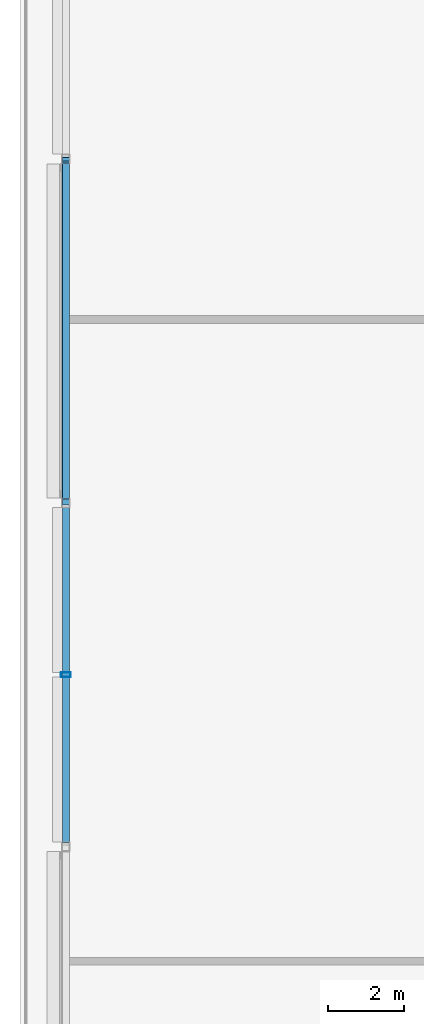
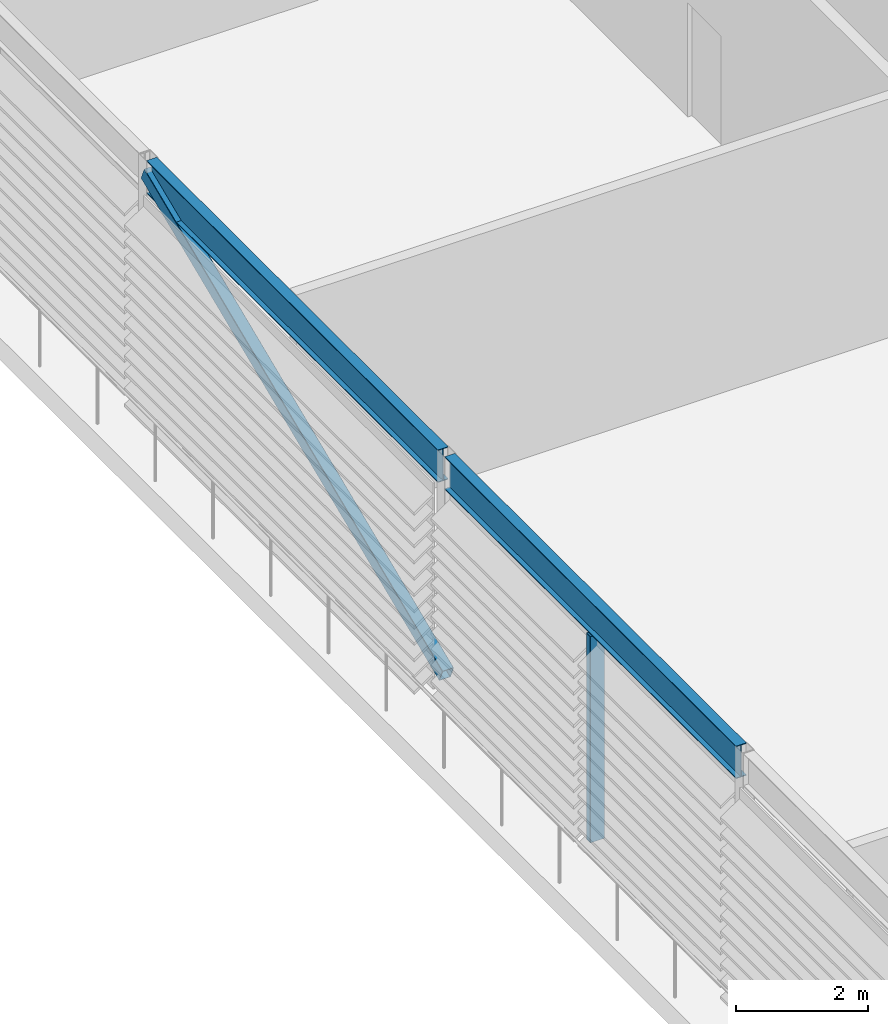
# One storey, part 7 of 29: 2 beams, 2 members.
"""IFC4 building model written with IfcOpenShell, lengths in metres."""

from ifc_helpers import new_model, si_unit, direction, frame, origin, origin_2d, place, context, subcontext, project, spatial, hollow_rectangle, i_section, extrude, material, material_profile, profile_set, type_object, element, save


model = new_model("IFC4")

# Units and contexts
model_context = context("Model", 3, precision=1e-05, world=origin(), true_north=direction((0.0, 1.0)))
body_context = subcontext(model_context, "Body", "Model", "MODEL_VIEW")
ifc_project = project(units=[si_unit("LENGTHUNIT", "METRE"), si_unit("AREAUNIT", "SQUARE_METRE"), si_unit("VOLUMEUNIT", "CUBIC_METRE"), si_unit("PLANEANGLEUNIT", "RADIAN"), si_unit("MASSUNIT", "GRAM", prefix="KILO")], contexts=[model_context])

# Site, building, storey
site_placement = place(None, origin())
site = spatial("IfcSite", under=ifc_project, at=site_placement, CompositionType="ELEMENT")
building_placement = place(site_placement, origin())
building = spatial("IfcBuilding", under=site, at=building_placement, Name="Madar Terraces", CompositionType="ELEMENT")
storey_placement = place(building_placement, frame((0.0, 0.0, 296.300048828125)))
storey = spatial("IfcBuildingStorey", under=building, at=storey_placement, Name="L77", CompositionType="ELEMENT", Elevation=296.300048828125)

# Beams
ifc_material_1 = material(Name="Steel ASTM A992 Grade 50", Category="steel")
ifc_material_profile_1 = material_profile(ifc_material_1, i_section(OverallWidth=0.1787109375, OverallDepth=0.60205078125, WebThickness=0.010986328125, FlangeThickness=0.014892578125, at=origin_2d()), Name="W24x62")
ifc_profile_set_1 = profile_set([ifc_material_profile_1], Name="Steel ASTM A992 Grade 50")
beam_type = type_object("IfcBeamType", Name="CF2 W24x62", PredefinedType="BEAM", material=ifc_profile_set_1)
for number, where, z_axis, x_axis, name in (
    (1, (1.199951171875, 32.8984375, 4.098876953125), (0.0, -1.0, 0.0), (1.0, 0.0, 0.0), "Crown frame ring beam CF2"),
    (2, (1.199951171875, 23.8984375, 4.098876953125), (0.0, -1.0, 0.0), (1.0, 0.0, 0.0), "Crown frame ring beam CF2"),
):
    element("IfcBeam", number, at=place(storey_placement, frame(where, z_axis=z_axis, x_axis=x_axis)), inside=storey, type_object=beam_type, Name=name, PredefinedType="BEAM", context=body_context, shape_type="SweptSolid", body=[
        extrude(i_section(OverallWidth=0.1787109375, OverallDepth=0.60205078125, WebThickness=0.010986328125, FlangeThickness=0.014892578125, at=origin_2d()), origin(), (0.0, 0.0, 1.0), 8.796875),
    ])

# Members
ifc_material_2 = material(Name="Steel ASTM A500 Grade C", Category="steel")
ifc_material_profile_2 = material_profile(ifc_material_2, hollow_rectangle(XDim=0.203125, YDim=0.25390625, WallThickness=0.009521484375, InnerFilletRadius=0.00439453125, OuterFilletRadius=0.01318359375, at=origin_2d()), Name="HSS10x8x.375")
ifc_profile_set_2 = profile_set([ifc_material_profile_2], Name="Steel ASTM A500 Grade C")
member_type_1 = type_object("IfcMemberType", Name="CF5 crown frame brace HSS10x8x.375", PredefinedType="BRACE", material=ifc_profile_set_2)
member_1_placement = place(storey_placement, frame((1.199951171875, 33.0, 4.098876953125), z_axis=(0.0, -0.921292542278, -0.388870224551), x_axis=(1.0, 0.0, 0.0)))
element("IfcMember", 3, at=member_1_placement, inside=storey, type_object=member_type_1, Name="Crown frame brace CF5", PredefinedType="BRACE", context=body_context, shape_type="SweptSolid", body=[
    extrude(hollow_rectangle(XDim=0.203125, YDim=0.25390625, WallThickness=0.009521484375, InnerFilletRadius=0.00439453125, OuterFilletRadius=0.01318359375, at=origin_2d()), origin(), (0.0, 0.0, 1.0), 9.768798828125),
])
ifc_material_3 = material(Name="Steel ASTM A500 Grade C", Category="steel")
ifc_material_profile_3 = material_profile(ifc_material_3, hollow_rectangle(XDim=0.126953125, YDim=0.25390625, WallThickness=0.00634765625, InnerFilletRadius=0.0029296875, OuterFilletRadius=0.0087890625, at=origin_2d()), Name="HSS10x5x.25")
ifc_profile_set_3 = profile_set([ifc_material_profile_3], Name="Steel ASTM A500 Grade C")
member_type_2 = type_object("IfcMemberType", Name="LS2 HSS10x5x.25", PredefinedType="POST", material=ifc_profile_set_3)
member_2_placement = place(storey_placement, frame((1.199951171875, 19.5, 0.0), z_axis=(0.0, 0.0, 1.0), x_axis=(0.0, -1.0, 0.0)))
element("IfcMember", 4, at=member_2_placement, inside=storey, type_object=member_type_2, Name="Crown louvre post LS2", PredefinedType="POST", context=body_context, shape_type="SweptSolid", body=[
    extrude(hollow_rectangle(XDim=0.126953125, YDim=0.25390625, WallThickness=0.00634765625, InnerFilletRadius=0.0029296875, OuterFilletRadius=0.0087890625, at=origin_2d()), origin(), (0.0, 0.0, 1.0), 3.7978515625),
])

save(model, "model.ifc")
